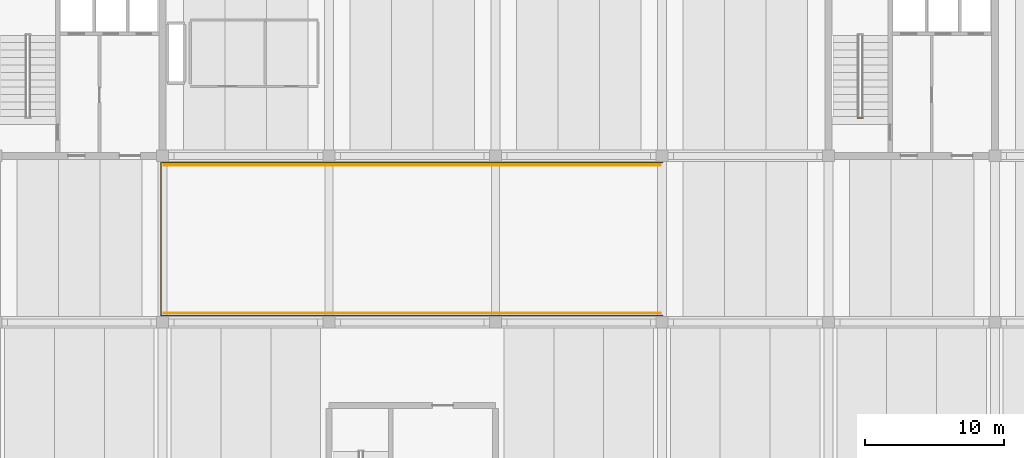
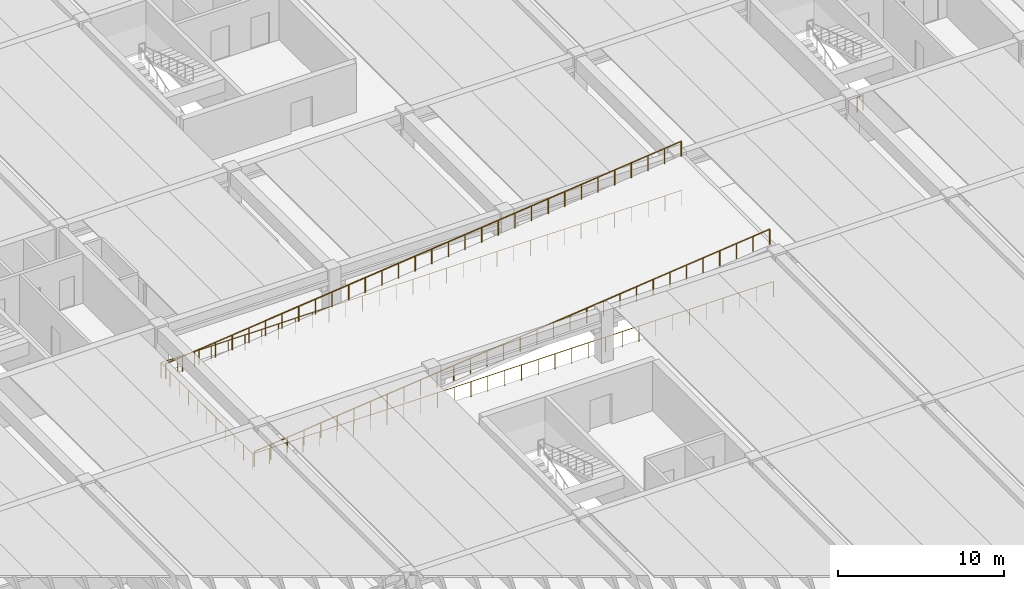
# One storey, part 18 of 21: 4 railings.
"""IFC4 building model written with IfcOpenShell, lengths in metres."""

from ifc_helpers import new_model, si_unit, direction, frame, origin, origin_2d, place, context, subcontext, project, spatial, circle, extrude, material, layer, layer_set, type_object, element, save


model = new_model("IFC4")

# Units and contexts
model_context = context("Model", 3, precision=1e-05, world=origin(), true_north=direction((0.0, 1.0)))
body_context = subcontext(model_context, "Body", "Model", "MODEL_VIEW")
ifc_project = project(units=[si_unit("LENGTHUNIT", "METRE"), si_unit("AREAUNIT", "SQUARE_METRE"), si_unit("VOLUMEUNIT", "CUBIC_METRE"), si_unit("PLANEANGLEUNIT", "RADIAN"), si_unit("MASSUNIT", "GRAM", prefix="KILO")], contexts=[model_context])

# Site, building, storey
site_placement = place(None, origin())
site = spatial("IfcSite", under=ifc_project, at=site_placement, CompositionType="ELEMENT")
building_placement = place(site_placement, origin())
building = spatial("IfcBuilding", under=site, at=building_placement, Name="Girod Span Mobility Hub", CompositionType="ELEMENT")
storey_placement = place(building_placement, frame((0.0, 0.0, 17.199951171875)))
storey = spatial("IfcBuildingStorey", under=building, at=storey_placement, Name="L04", CompositionType="ELEMENT", Elevation=17.199951171875)

# Railings
ifc_material_1 = material(Name="Painted Galvanised Steel", Category="steel")
ifc_layer_1 = layer(ifc_material_1, 0.06494140625)
ifc_layer_set_1 = layer_set([ifc_layer_1], Name="Painted Galvanised Steel")
railing_type_1 = type_object("IfcRailingType", Name="RL-GRD-1120", PredefinedType="GUARDRAIL", material=ifc_layer_set_1)
railing_1_placement = place(storey_placement, frame((60.10009765625, 45.679931640625, 0.0)))
element("IfcRailing", 1, at=railing_1_placement, inside=storey, type_object=railing_type_1, Name="Vehicular Ramp Guardrail L04-S", PredefinedType="GUARDRAIL", context=body_context, shape_type="SweptSolid", body=[
    extrude(circle(Radius=0.02392578125, at=origin_2d()), frame((0.0, 0.0, 1.09619140625), z_axis=(0.994413550329, 0.0, 0.105554208454), x_axis=(0.0, 1.0, 0.0)), (0.0, 0.0, 1.0), 36.0009765625),
    extrude(circle(Radius=0.02099609375, at=origin_2d()), origin(), (0.0, 0.0, 1.0), 1.072021484375),
    extrude(circle(Radius=0.02099609375, at=origin_2d()), frame((1.15478515625, 0.0, 0.12255859375)), (0.0, 0.0, 1.0), 1.072021484375),
    extrude(circle(Radius=0.02099609375, at=origin_2d()), frame((2.3095703125, 0.0, 0.2451171875)), (0.0, 0.0, 1.0), 1.072021484375),
    extrude(circle(Radius=0.02099609375, at=origin_2d()), frame((3.464599609375, 0.0, 0.36767578125)), (0.0, 0.0, 1.0), 1.072021484375),
    extrude(circle(Radius=0.02099609375, at=origin_2d()), frame((4.619384765625, 0.0, 0.490234375)), (0.0, 0.0, 1.0), 1.072021484375),
    extrude(circle(Radius=0.02099609375, at=origin_2d()), frame((5.774169921875, 0.0, 0.61279296875)), (0.0, 0.0, 1.0), 1.072021484375),
    extrude(circle(Radius=0.02099609375, at=origin_2d()), frame((6.928955078125, 0.0, 0.735595703125)), (0.0, 0.0, 1.0), 1.072021484375),
    extrude(circle(Radius=0.02099609375, at=origin_2d()), frame((8.083740234375, 0.0, 0.858154296875)), (0.0, 0.0, 1.0), 1.072021484375),
    extrude(circle(Radius=0.02099609375, at=origin_2d()), frame((9.23876953125, 0.0, 0.980712890625)), (0.0, 0.0, 1.0), 1.072021484375),
    extrude(circle(Radius=0.02099609375, at=origin_2d()), frame((10.3935546875, 0.0, 1.103271484375)), (0.0, 0.0, 1.0), 1.072021484375),
    extrude(circle(Radius=0.02099609375, at=origin_2d()), frame((11.54833984375, 0.0, 1.225830078125)), (0.0, 0.0, 1.0), 1.072021484375),
    extrude(circle(Radius=0.02099609375, at=origin_2d()), frame((12.703125, 0.0, 1.348388671875)), (0.0, 0.0, 1.0), 1.072021484375),
    extrude(circle(Radius=0.02099609375, at=origin_2d()), frame((13.85791015625, 0.0, 1.470947265625)), (0.0, 0.0, 1.0), 1.072021484375),
    extrude(circle(Radius=0.02099609375, at=origin_2d()), frame((15.012939453125, 0.0, 1.593505859375)), (0.0, 0.0, 1.0), 1.072021484375),
    extrude(circle(Radius=0.02099609375, at=origin_2d()), frame((16.167724609375, 0.0, 1.716064453125)), (0.0, 0.0, 1.0), 1.072021484375),
    extrude(circle(Radius=0.02099609375, at=origin_2d()), frame((17.322509765625, 0.0, 1.838623046875)), (0.0, 0.0, 1.0), 1.072021484375),
    extrude(circle(Radius=0.02099609375, at=origin_2d()), frame((18.477294921875, 0.0, 1.96142578125)), (0.0, 0.0, 1.0), 1.072021484375),
    extrude(circle(Radius=0.02099609375, at=origin_2d()), frame((19.632080078125, 0.0, 2.083984375)), (0.0, 0.0, 1.0), 1.072021484375),
    extrude(circle(Radius=0.02099609375, at=origin_2d()), frame((20.786865234375, 0.0, 2.20654296875)), (0.0, 0.0, 1.0), 1.072021484375),
    extrude(circle(Radius=0.02099609375, at=origin_2d()), frame((21.94189453125, 0.0, 2.3291015625)), (0.0, 0.0, 1.0), 1.072021484375),
    extrude(circle(Radius=0.02099609375, at=origin_2d()), frame((23.0966796875, 0.0, 2.45166015625)), (0.0, 0.0, 1.0), 1.072021484375),
    extrude(circle(Radius=0.02099609375, at=origin_2d()), frame((24.25146484375, 0.0, 2.57421875)), (0.0, 0.0, 1.0), 1.072021484375),
    extrude(circle(Radius=0.02099609375, at=origin_2d()), frame((25.40625, 0.0, 2.69677734375)), (0.0, 0.0, 1.0), 1.072021484375),
    extrude(circle(Radius=0.02099609375, at=origin_2d()), frame((26.56103515625, 0.0, 2.8193359375)), (0.0, 0.0, 1.0), 1.072021484375),
    extrude(circle(Radius=0.02099609375, at=origin_2d()), frame((27.716064453125, 0.0, 2.94189453125)), (0.0, 0.0, 1.0), 1.072021484375),
    extrude(circle(Radius=0.02099609375, at=origin_2d()), frame((28.870849609375, 0.0, 3.064453125)), (0.0, 0.0, 1.0), 1.072021484375),
    extrude(circle(Radius=0.02099609375, at=origin_2d()), frame((30.025634765625, 0.0, 3.187255859375)), (0.0, 0.0, 1.0), 1.072021484375),
    extrude(circle(Radius=0.02099609375, at=origin_2d()), frame((31.180419921875, 0.0, 3.309814453125)), (0.0, 0.0, 1.0), 1.072021484375),
    extrude(circle(Radius=0.02099609375, at=origin_2d()), frame((32.335205078125, 0.0, 3.432373046875)), (0.0, 0.0, 1.0), 1.072021484375),
    extrude(circle(Radius=0.02099609375, at=origin_2d()), frame((33.490234375, 0.0, 3.554931640625)), (0.0, 0.0, 1.0), 1.072021484375),
    extrude(circle(Radius=0.02099609375, at=origin_2d()), frame((34.64501953125, 0.0, 3.677490234375)), (0.0, 0.0, 1.0), 1.072021484375),
    extrude(circle(Radius=0.02099609375, at=origin_2d()), frame((35.7998046875, 0.0, 3.800048828125)), (0.0, 0.0, 1.0), 1.072021484375),
])
railing_2_placement = place(storey_placement, frame((60.10009765625, 56.320068359375, 0.0)))
element("IfcRailing", 2, at=railing_2_placement, inside=storey, type_object=railing_type_1, Name="Vehicular Ramp Guardrail L04-N", PredefinedType="GUARDRAIL", context=body_context, shape_type="SweptSolid", body=[
    extrude(circle(Radius=0.02392578125, at=origin_2d()), frame((0.0, 0.0, 1.09619140625), z_axis=(0.994413550329, 0.0, 0.105554208454), x_axis=(0.0, 1.0, 0.0)), (0.0, 0.0, 1.0), 36.0009765625),
    extrude(circle(Radius=0.02099609375, at=origin_2d()), origin(), (0.0, 0.0, 1.0), 1.072021484375),
    extrude(circle(Radius=0.02099609375, at=origin_2d()), frame((1.15478515625, 0.0, 0.12255859375)), (0.0, 0.0, 1.0), 1.072021484375),
    extrude(circle(Radius=0.02099609375, at=origin_2d()), frame((2.3095703125, 0.0, 0.2451171875)), (0.0, 0.0, 1.0), 1.072021484375),
    extrude(circle(Radius=0.02099609375, at=origin_2d()), frame((3.464599609375, 0.0, 0.36767578125)), (0.0, 0.0, 1.0), 1.072021484375),
    extrude(circle(Radius=0.02099609375, at=origin_2d()), frame((4.619384765625, 0.0, 0.490234375)), (0.0, 0.0, 1.0), 1.072021484375),
    extrude(circle(Radius=0.02099609375, at=origin_2d()), frame((5.774169921875, 0.0, 0.61279296875)), (0.0, 0.0, 1.0), 1.072021484375),
    extrude(circle(Radius=0.02099609375, at=origin_2d()), frame((6.928955078125, 0.0, 0.735595703125)), (0.0, 0.0, 1.0), 1.072021484375),
    extrude(circle(Radius=0.02099609375, at=origin_2d()), frame((8.083740234375, 0.0, 0.858154296875)), (0.0, 0.0, 1.0), 1.072021484375),
    extrude(circle(Radius=0.02099609375, at=origin_2d()), frame((9.23876953125, 0.0, 0.980712890625)), (0.0, 0.0, 1.0), 1.072021484375),
    extrude(circle(Radius=0.02099609375, at=origin_2d()), frame((10.3935546875, 0.0, 1.103271484375)), (0.0, 0.0, 1.0), 1.072021484375),
    extrude(circle(Radius=0.02099609375, at=origin_2d()), frame((11.54833984375, 0.0, 1.225830078125)), (0.0, 0.0, 1.0), 1.072021484375),
    extrude(circle(Radius=0.02099609375, at=origin_2d()), frame((12.703125, 0.0, 1.348388671875)), (0.0, 0.0, 1.0), 1.072021484375),
    extrude(circle(Radius=0.02099609375, at=origin_2d()), frame((13.85791015625, 0.0, 1.470947265625)), (0.0, 0.0, 1.0), 1.072021484375),
    extrude(circle(Radius=0.02099609375, at=origin_2d()), frame((15.012939453125, 0.0, 1.593505859375)), (0.0, 0.0, 1.0), 1.072021484375),
    extrude(circle(Radius=0.02099609375, at=origin_2d()), frame((16.167724609375, 0.0, 1.716064453125)), (0.0, 0.0, 1.0), 1.072021484375),
    extrude(circle(Radius=0.02099609375, at=origin_2d()), frame((17.322509765625, 0.0, 1.838623046875)), (0.0, 0.0, 1.0), 1.072021484375),
    extrude(circle(Radius=0.02099609375, at=origin_2d()), frame((18.477294921875, 0.0, 1.96142578125)), (0.0, 0.0, 1.0), 1.072021484375),
    extrude(circle(Radius=0.02099609375, at=origin_2d()), frame((19.632080078125, 0.0, 2.083984375)), (0.0, 0.0, 1.0), 1.072021484375),
    extrude(circle(Radius=0.02099609375, at=origin_2d()), frame((20.786865234375, 0.0, 2.20654296875)), (0.0, 0.0, 1.0), 1.072021484375),
    extrude(circle(Radius=0.02099609375, at=origin_2d()), frame((21.94189453125, 0.0, 2.3291015625)), (0.0, 0.0, 1.0), 1.072021484375),
    extrude(circle(Radius=0.02099609375, at=origin_2d()), frame((23.0966796875, 0.0, 2.45166015625)), (0.0, 0.0, 1.0), 1.072021484375),
    extrude(circle(Radius=0.02099609375, at=origin_2d()), frame((24.25146484375, 0.0, 2.57421875)), (0.0, 0.0, 1.0), 1.072021484375),
    extrude(circle(Radius=0.02099609375, at=origin_2d()), frame((25.40625, 0.0, 2.69677734375)), (0.0, 0.0, 1.0), 1.072021484375),
    extrude(circle(Radius=0.02099609375, at=origin_2d()), frame((26.56103515625, 0.0, 2.8193359375)), (0.0, 0.0, 1.0), 1.072021484375),
    extrude(circle(Radius=0.02099609375, at=origin_2d()), frame((27.716064453125, 0.0, 2.94189453125)), (0.0, 0.0, 1.0), 1.072021484375),
    extrude(circle(Radius=0.02099609375, at=origin_2d()), frame((28.870849609375, 0.0, 3.064453125)), (0.0, 0.0, 1.0), 1.072021484375),
    extrude(circle(Radius=0.02099609375, at=origin_2d()), frame((30.025634765625, 0.0, 3.187255859375)), (0.0, 0.0, 1.0), 1.072021484375),
    extrude(circle(Radius=0.02099609375, at=origin_2d()), frame((31.180419921875, 0.0, 3.309814453125)), (0.0, 0.0, 1.0), 1.072021484375),
    extrude(circle(Radius=0.02099609375, at=origin_2d()), frame((32.335205078125, 0.0, 3.432373046875)), (0.0, 0.0, 1.0), 1.072021484375),
    extrude(circle(Radius=0.02099609375, at=origin_2d()), frame((33.490234375, 0.0, 3.554931640625)), (0.0, 0.0, 1.0), 1.072021484375),
    extrude(circle(Radius=0.02099609375, at=origin_2d()), frame((34.64501953125, 0.0, 3.677490234375)), (0.0, 0.0, 1.0), 1.072021484375),
    extrude(circle(Radius=0.02099609375, at=origin_2d()), frame((35.7998046875, 0.0, 3.800048828125)), (0.0, 0.0, 1.0), 1.072021484375),
])
railing_3_placement = place(storey_placement, frame((110.10009765625, 59.72998046875, 0.0)))
element("IfcRailing", 3, at=railing_3_placement, inside=storey, type_object=railing_type_1, Name="Stair ST-2 Landing Well Guard L04", PredefinedType="GUARDRAIL", context=body_context, shape_type="SweptSolid", body=[
    extrude(circle(Radius=0.02392578125, at=origin_2d()), frame((0.0, 0.0, 1.09619140625), z_axis=(1.0, 0.0, 0.0), x_axis=(0.0, 1.0, 0.0)), (0.0, 0.0, 1.0), 0.39990234375),
    extrude(circle(Radius=0.02099609375, at=origin_2d()), origin(), (0.0, 0.0, 1.0), 1.072021484375),
    extrude(circle(Radius=0.02099609375, at=origin_2d()), frame((0.39990234375, 0.0, 0.0)), (0.0, 0.0, 1.0), 1.072021484375),
])
ifc_material_2 = material(Name="Painted Galvanised Steel", Category="steel")
ifc_layer_2 = layer(ifc_material_2, 0.074951171875)
ifc_layer_set_2 = layer_set([ifc_layer_2], Name="Painted Galvanised Steel")
railing_type_2 = type_object("IfcRailingType", Name="RL-GRD-1150", PredefinedType="GUARDRAIL", material=ifc_layer_set_2)
railing_4_placement = place(storey_placement, frame((96.050048828125, 45.47998046875, 0.0)))
element("IfcRailing", 4, at=railing_4_placement, inside=storey, type_object=railing_type_2, Name="Ramp Well Deck Guardrail L04", PredefinedType="GUARDRAIL", context=body_context, shape_type="SweptSolid", body=[
    extrude(circle(Radius=0.02392578125, at=origin_2d()), frame((0.0, 0.0, 1.1259765625), z_axis=(-1.0, 0.0, 0.0), x_axis=(0.0, -1.0, 0.0)), (0.0, 0.0, 1.0), 36.170166015625),
    extrude(circle(Radius=0.02392578125, at=origin_2d()), frame((-36.170166015625, 0.0, 1.1259765625), z_axis=(0.0, 1.0, 0.0), x_axis=(-1.0, 0.0, 0.0)), (0.0, 0.0, 1.0), 11.0400390625),
    extrude(circle(Radius=0.02392578125, at=origin_2d()), frame((-36.170166015625, 11.0400390625, 1.1259765625), z_axis=(1.0, 0.0, 0.0), x_axis=(0.0, 1.0, 0.0)), (0.0, 0.0, 1.0), 36.170166015625),
    extrude(circle(Radius=0.02099609375, at=origin_2d()), origin(), (0.0, 0.0, 1.0), 1.101806640625),
    extrude(circle(Radius=0.02099609375, at=origin_2d()), frame((-1.166748046875, 0.0, 0.0)), (0.0, 0.0, 1.0), 1.101806640625),
    extrude(circle(Radius=0.02099609375, at=origin_2d()), frame((-2.33349609375, 0.0, 0.0)), (0.0, 0.0, 1.0), 1.101806640625),
    extrude(circle(Radius=0.02099609375, at=origin_2d()), frame((-3.500244140625, 0.0, 0.0)), (0.0, 0.0, 1.0), 1.101806640625),
    extrude(circle(Radius=0.02099609375, at=origin_2d()), frame((-4.667236328125, 0.0, 0.0)), (0.0, 0.0, 1.0), 1.101806640625),
    extrude(circle(Radius=0.02099609375, at=origin_2d()), frame((-5.833984375, 0.0, 0.0)), (0.0, 0.0, 1.0), 1.101806640625),
    extrude(circle(Radius=0.02099609375, at=origin_2d()), frame((-7.000732421875, 0.0, 0.0)), (0.0, 0.0, 1.0), 1.101806640625),
    extrude(circle(Radius=0.02099609375, at=origin_2d()), frame((-8.16748046875, 0.0, 0.0)), (0.0, 0.0, 1.0), 1.101806640625),
    extrude(circle(Radius=0.02099609375, at=origin_2d()), frame((-9.334228515625, 0.0, 0.0)), (0.0, 0.0, 1.0), 1.101806640625),
    extrude(circle(Radius=0.02099609375, at=origin_2d()), frame((-10.5009765625, 0.0, 0.0)), (0.0, 0.0, 1.0), 1.101806640625),
    extrude(circle(Radius=0.02099609375, at=origin_2d()), frame((-11.667724609375, 0.0, 0.0)), (0.0, 0.0, 1.0), 1.101806640625),
    extrude(circle(Radius=0.02099609375, at=origin_2d()), frame((-12.83447265625, 0.0, 0.0)), (0.0, 0.0, 1.0), 1.101806640625),
    extrude(circle(Radius=0.02099609375, at=origin_2d()), frame((-14.00146484375, 0.0, 0.0)), (0.0, 0.0, 1.0), 1.101806640625),
    extrude(circle(Radius=0.02099609375, at=origin_2d()), frame((-15.168212890625, 0.0, 0.0)), (0.0, 0.0, 1.0), 1.101806640625),
    extrude(circle(Radius=0.02099609375, at=origin_2d()), frame((-16.3349609375, 0.0, 0.0)), (0.0, 0.0, 1.0), 1.101806640625),
    extrude(circle(Radius=0.02099609375, at=origin_2d()), frame((-17.501708984375, 0.0, 0.0)), (0.0, 0.0, 1.0), 1.101806640625),
    extrude(circle(Radius=0.02099609375, at=origin_2d()), frame((-18.66845703125, 0.0, 0.0)), (0.0, 0.0, 1.0), 1.101806640625),
    extrude(circle(Radius=0.02099609375, at=origin_2d()), frame((-19.835205078125, 0.0, 0.0)), (0.0, 0.0, 1.0), 1.101806640625),
    extrude(circle(Radius=0.02099609375, at=origin_2d()), frame((-21.001953125, 0.0, 0.0)), (0.0, 0.0, 1.0), 1.101806640625),
    extrude(circle(Radius=0.02099609375, at=origin_2d()), frame((-22.168701171875, 0.0, 0.0)), (0.0, 0.0, 1.0), 1.101806640625),
    extrude(circle(Radius=0.02099609375, at=origin_2d()), frame((-23.335693359375, 0.0, 0.0)), (0.0, 0.0, 1.0), 1.101806640625),
    extrude(circle(Radius=0.02099609375, at=origin_2d()), frame((-24.50244140625, 0.0, 0.0)), (0.0, 0.0, 1.0), 1.101806640625),
    extrude(circle(Radius=0.02099609375, at=origin_2d()), frame((-25.669189453125, 0.0, 0.0)), (0.0, 0.0, 1.0), 1.101806640625),
    extrude(circle(Radius=0.02099609375, at=origin_2d()), frame((-26.8359375, 0.0, 0.0)), (0.0, 0.0, 1.0), 1.101806640625),
    extrude(circle(Radius=0.02099609375, at=origin_2d()), frame((-28.002685546875, 0.0, 0.0)), (0.0, 0.0, 1.0), 1.101806640625),
    extrude(circle(Radius=0.02099609375, at=origin_2d()), frame((-29.16943359375, 0.0, 0.0)), (0.0, 0.0, 1.0), 1.101806640625),
    extrude(circle(Radius=0.02099609375, at=origin_2d()), frame((-30.336181640625, 0.0, 0.0)), (0.0, 0.0, 1.0), 1.101806640625),
    extrude(circle(Radius=0.02099609375, at=origin_2d()), frame((-31.5029296875, 0.0, 0.0)), (0.0, 0.0, 1.0), 1.101806640625),
    extrude(circle(Radius=0.02099609375, at=origin_2d()), frame((-32.669921875, 0.0, 0.0)), (0.0, 0.0, 1.0), 1.101806640625),
    extrude(circle(Radius=0.02099609375, at=origin_2d()), frame((-33.836669921875, 0.0, 0.0)), (0.0, 0.0, 1.0), 1.101806640625),
    extrude(circle(Radius=0.02099609375, at=origin_2d()), frame((-35.00341796875, 0.0, 0.0)), (0.0, 0.0, 1.0), 1.101806640625),
    extrude(circle(Radius=0.02099609375, at=origin_2d()), frame((-36.170166015625, 0.0, 0.0)), (0.0, 0.0, 1.0), 1.101806640625),
    extrude(circle(Radius=0.02099609375, at=origin_2d()), frame((-36.170166015625, 1.10400390625, 0.0)), (0.0, 0.0, 1.0), 1.101806640625),
    extrude(circle(Radius=0.02099609375, at=origin_2d()), frame((-36.170166015625, 2.2080078125, 0.0)), (0.0, 0.0, 1.0), 1.101806640625),
    extrude(circle(Radius=0.02099609375, at=origin_2d()), frame((-36.170166015625, 3.31201171875, 0.0)), (0.0, 0.0, 1.0), 1.101806640625),
    extrude(circle(Radius=0.02099609375, at=origin_2d()), frame((-36.170166015625, 4.416015625, 0.0)), (0.0, 0.0, 1.0), 1.101806640625),
    extrude(circle(Radius=0.02099609375, at=origin_2d()), frame((-36.170166015625, 5.52001953125, 0.0)), (0.0, 0.0, 1.0), 1.101806640625),
    extrude(circle(Radius=0.02099609375, at=origin_2d()), frame((-36.170166015625, 6.6240234375, 0.0)), (0.0, 0.0, 1.0), 1.101806640625),
    extrude(circle(Radius=0.02099609375, at=origin_2d()), frame((-36.170166015625, 7.72802734375, 0.0)), (0.0, 0.0, 1.0), 1.101806640625),
    extrude(circle(Radius=0.02099609375, at=origin_2d()), frame((-36.170166015625, 8.83203125, 0.0)), (0.0, 0.0, 1.0), 1.101806640625),
    extrude(circle(Radius=0.02099609375, at=origin_2d()), frame((-36.170166015625, 9.93603515625, 0.0)), (0.0, 0.0, 1.0), 1.101806640625),
    extrude(circle(Radius=0.02099609375, at=origin_2d()), frame((-36.170166015625, 11.0400390625, 0.0)), (0.0, 0.0, 1.0), 1.101806640625),
    extrude(circle(Radius=0.02099609375, at=origin_2d()), frame((-35.00341796875, 11.0400390625, 0.0)), (0.0, 0.0, 1.0), 1.101806640625),
    extrude(circle(Radius=0.02099609375, at=origin_2d()), frame((-33.836669921875, 11.0400390625, 0.0)), (0.0, 0.0, 1.0), 1.101806640625),
    extrude(circle(Radius=0.02099609375, at=origin_2d()), frame((-32.669921875, 11.0400390625, 0.0)), (0.0, 0.0, 1.0), 1.101806640625),
    extrude(circle(Radius=0.02099609375, at=origin_2d()), frame((-31.5029296875, 11.0400390625, 0.0)), (0.0, 0.0, 1.0), 1.101806640625),
    extrude(circle(Radius=0.02099609375, at=origin_2d()), frame((-30.336181640625, 11.0400390625, 0.0)), (0.0, 0.0, 1.0), 1.101806640625),
    extrude(circle(Radius=0.02099609375, at=origin_2d()), frame((-29.16943359375, 11.0400390625, 0.0)), (0.0, 0.0, 1.0), 1.101806640625),
    extrude(circle(Radius=0.02099609375, at=origin_2d()), frame((-28.002685546875, 11.0400390625, 0.0)), (0.0, 0.0, 1.0), 1.101806640625),
    extrude(circle(Radius=0.02099609375, at=origin_2d()), frame((-26.8359375, 11.0400390625, 0.0)), (0.0, 0.0, 1.0), 1.101806640625),
    extrude(circle(Radius=0.02099609375, at=origin_2d()), frame((-25.669189453125, 11.0400390625, 0.0)), (0.0, 0.0, 1.0), 1.101806640625),
    extrude(circle(Radius=0.02099609375, at=origin_2d()), frame((-24.50244140625, 11.0400390625, 0.0)), (0.0, 0.0, 1.0), 1.101806640625),
    extrude(circle(Radius=0.02099609375, at=origin_2d()), frame((-23.335693359375, 11.0400390625, 0.0)), (0.0, 0.0, 1.0), 1.101806640625),
    extrude(circle(Radius=0.02099609375, at=origin_2d()), frame((-22.168701171875, 11.0400390625, 0.0)), (0.0, 0.0, 1.0), 1.101806640625),
    extrude(circle(Radius=0.02099609375, at=origin_2d()), frame((-21.001953125, 11.0400390625, 0.0)), (0.0, 0.0, 1.0), 1.101806640625),
    extrude(circle(Radius=0.02099609375, at=origin_2d()), frame((-19.835205078125, 11.0400390625, 0.0)), (0.0, 0.0, 1.0), 1.101806640625),
    extrude(circle(Radius=0.02099609375, at=origin_2d()), frame((-18.66845703125, 11.0400390625, 0.0)), (0.0, 0.0, 1.0), 1.101806640625),
    extrude(circle(Radius=0.02099609375, at=origin_2d()), frame((-17.501708984375, 11.0400390625, 0.0)), (0.0, 0.0, 1.0), 1.101806640625),
    extrude(circle(Radius=0.02099609375, at=origin_2d()), frame((-16.3349609375, 11.0400390625, 0.0)), (0.0, 0.0, 1.0), 1.101806640625),
    extrude(circle(Radius=0.02099609375, at=origin_2d()), frame((-15.168212890625, 11.0400390625, 0.0)), (0.0, 0.0, 1.0), 1.101806640625),
    extrude(circle(Radius=0.02099609375, at=origin_2d()), frame((-14.00146484375, 11.0400390625, 0.0)), (0.0, 0.0, 1.0), 1.101806640625),
    extrude(circle(Radius=0.02099609375, at=origin_2d()), frame((-12.83447265625, 11.0400390625, 0.0)), (0.0, 0.0, 1.0), 1.101806640625),
    extrude(circle(Radius=0.02099609375, at=origin_2d()), frame((-11.667724609375, 11.0400390625, 0.0)), (0.0, 0.0, 1.0), 1.101806640625),
    extrude(circle(Radius=0.02099609375, at=origin_2d()), frame((-10.5009765625, 11.0400390625, 0.0)), (0.0, 0.0, 1.0), 1.101806640625),
    extrude(circle(Radius=0.02099609375, at=origin_2d()), frame((-9.334228515625, 11.0400390625, 0.0)), (0.0, 0.0, 1.0), 1.101806640625),
    extrude(circle(Radius=0.02099609375, at=origin_2d()), frame((-8.16748046875, 11.0400390625, 0.0)), (0.0, 0.0, 1.0), 1.101806640625),
    extrude(circle(Radius=0.02099609375, at=origin_2d()), frame((-7.000732421875, 11.0400390625, 0.0)), (0.0, 0.0, 1.0), 1.101806640625),
    extrude(circle(Radius=0.02099609375, at=origin_2d()), frame((-5.833984375, 11.0400390625, 0.0)), (0.0, 0.0, 1.0), 1.101806640625),
    extrude(circle(Radius=0.02099609375, at=origin_2d()), frame((-4.667236328125, 11.0400390625, 0.0)), (0.0, 0.0, 1.0), 1.101806640625),
    extrude(circle(Radius=0.02099609375, at=origin_2d()), frame((-3.500244140625, 11.0400390625, 0.0)), (0.0, 0.0, 1.0), 1.101806640625),
    extrude(circle(Radius=0.02099609375, at=origin_2d()), frame((-2.33349609375, 11.0400390625, 0.0)), (0.0, 0.0, 1.0), 1.101806640625),
    extrude(circle(Radius=0.02099609375, at=origin_2d()), frame((-1.166748046875, 11.0400390625, 0.0)), (0.0, 0.0, 1.0), 1.101806640625),
    extrude(circle(Radius=0.02099609375, at=origin_2d()), frame((0.0, 11.0400390625, 0.0)), (0.0, 0.0, 1.0), 1.101806640625),
])

save(model, "model.ifc")
